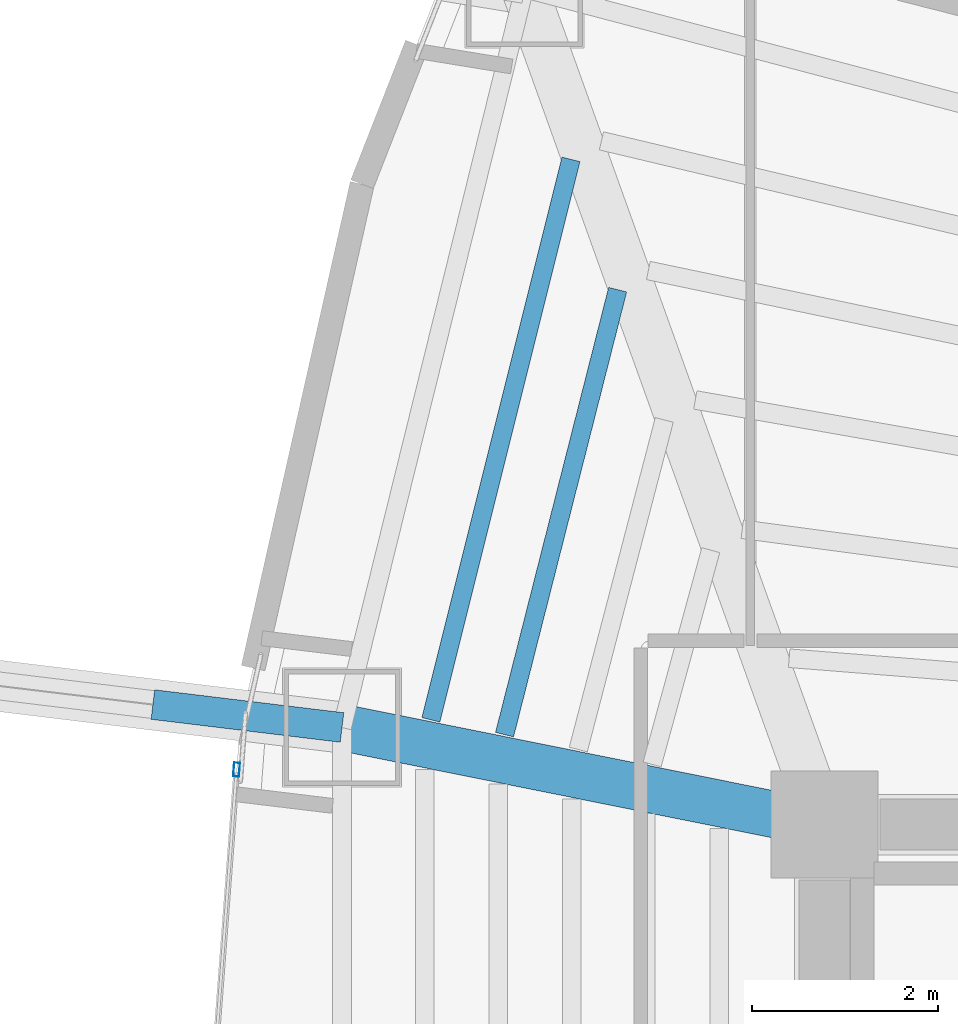
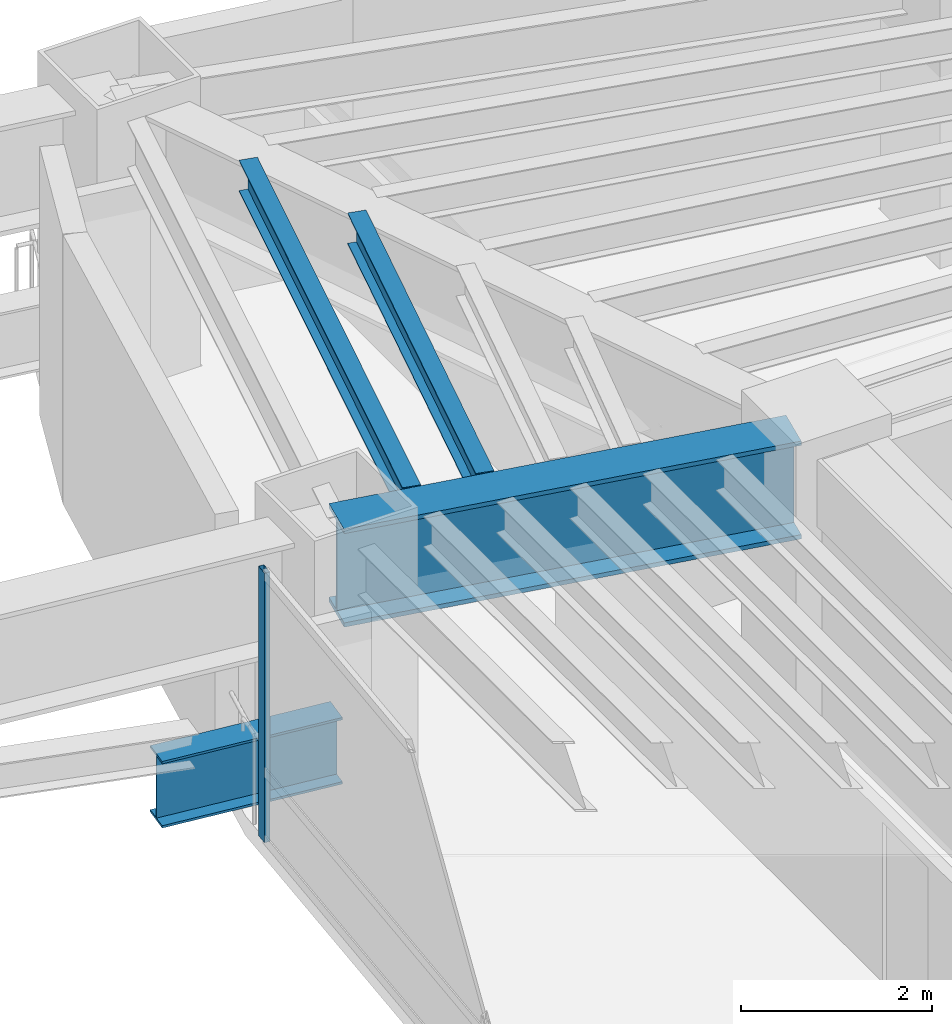
# One storey, part 6 of 17: 4 beams, 1 member, 1 element without a shape of its own.
"""IFC4 building model written with IfcOpenShell, lengths in metres."""

import ifcopenshell
import ifcopenshell.guid

model = None  # the IFC model being written
_history = None  # IfcOwnerHistory: only IFC2X3 demands one
_inside = {}  # id of a spatial element -> (the spatial element, [elements in it])
_under = {}  # id of a project, library or spatial element -> (it, [spatial elements below it])
_declared = {}  # id of a project -> (the project, [libraries it declares])
_typed = {}  # id of a type object -> (the type object, [elements of that type])
_made_of = {}  # id of a material, layer set ... -> (it, [elements and type objects made of it])


def new_model(schema):
    """Start an empty IFC model of exactly this schema.

    Asked for "IFC4X3", IfcOpenShell would pick the latest addendum, in which some entities
    have other attributes; the version numbers below select the first issue.
    IFC2X3 requires an IfcOwnerHistory on every rooted entity: one is made here for all.
    """
    global model, _history
    if schema == "IFC4X3":
        model = ifcopenshell.file(schema_version=(4, 3, 0, 0))
    else:
        model = ifcopenshell.file(schema=schema)
    _inside.clear()
    _under.clear()
    _declared.clear()
    _typed.clear()
    _made_of.clear()
    _history = None
    if model.schema == "IFC2X3":
        org = make("IfcOrganization", Name="unknown")
        user = make(
            "IfcPersonAndOrganization",
            ThePerson=make("IfcPerson", FamilyName="unknown"),
            TheOrganization=org,
        )
        app = make(
            "IfcApplication",
            ApplicationDeveloper=org,
            Version="unknown",
            ApplicationFullName="unknown",
            ApplicationIdentifier="unknown",
        )
        _history = make(
            "IfcOwnerHistory",
            OwningUser=user,
            OwningApplication=app,
            ChangeAction="ADDED",
            CreationDate=0,
        )
    return model


def make(cls, **values):
    """One entity of the class cls with the attributes given. An attribute that is None is left unset."""
    return model.create_entity(
        cls, **{name: value for name, value in values.items() if value is not None}
    )


def rooted(cls, **values):
    """An entity with a GlobalId (a new one), such as an element, a storey or a relation."""
    return make(cls, GlobalId=ifcopenshell.guid.new(), OwnerHistory=_history, **values)


def si_unit(unit_type, name, prefix=None):
    """IfcSIUnit, for example si_unit("LENGTHUNIT", "METRE", prefix="MILLI")."""
    return make("IfcSIUnit", UnitType=unit_type, Prefix=prefix, Name=name)


def assignment(units):
    """IfcUnitAssignment: the units of a project."""
    return None if units is None else make("IfcUnitAssignment", Units=units)


def point(xyz):
    """IfcCartesianPoint."""
    return None if xyz is None else make("IfcCartesianPoint", Coordinates=xyz)


def direction(xyz):
    """IfcDirection."""
    return None if xyz is None else make("IfcDirection", DirectionRatios=xyz)


def frame(location, z_axis=None, x_axis=None):
    """IfcAxis2Placement3D, a coordinate frame: its origin and axes. An axis left out is left unset."""
    return make(
        "IfcAxis2Placement3D",
        Location=point(location),
        Axis=direction(z_axis),
        RefDirection=direction(x_axis),
    )


def frame_2d(location, x_axis=None):
    """IfcAxis2Placement2D, a coordinate frame in the plane: its origin and x axis."""
    return make(
        "IfcAxis2Placement2D", Location=point(location), RefDirection=direction(x_axis)
    )


def origin():
    """The frame at (0, 0, 0) with its axes left unset."""
    return frame((0.0, 0.0, 0.0))


def origin_2d():
    """The frame at (0, 0) in the plane with its x axis left unset."""
    return frame_2d((0.0, 0.0))


def place(relative_to, where):
    """IfcLocalPlacement: puts the frame where relative to a parent placement (None: the world)."""
    return make(
        "IfcLocalPlacement", PlacementRelTo=relative_to, RelativePlacement=where
    )


def context(
    kind, dimensions, precision=None, world=None, true_north=None, identifier=None
):
    """IfcGeometricRepresentationContext, for example the 3D "Model" context."""
    return make(
        "IfcGeometricRepresentationContext",
        ContextIdentifier=identifier,
        ContextType=kind,
        CoordinateSpaceDimension=dimensions,
        Precision=precision,
        WorldCoordinateSystem=world,
        TrueNorth=true_north,
    )


def subcontext(parent, identifier, kind, view, scale=None):
    """IfcGeometricRepresentationSubContext, for example "Body" below "Model"."""
    return make(
        "IfcGeometricRepresentationSubContext",
        ContextIdentifier=identifier,
        ContextType=kind,
        ParentContext=parent,
        TargetScale=scale,
        TargetView=view,
    )


def project(units=None, contexts=None):
    """IfcProject with its units and contexts."""
    return rooted(
        "IfcProject",
        Name="project",
        RepresentationContexts=contexts,
        UnitsInContext=assignment(units),
    )


def spatial(cls, under=None, at=None, **own):
    """A site, building, storey or space (cls), placed at a placement, below another one or the project."""
    s = rooted(cls, ObjectPlacement=at, **own)
    if under is not None:
        _under.setdefault(under.id(), (under, []))[1].append(s)
    return s


def profile(cls, at=None, kind="AREA", **sizes):
    """A parametric profile (cls). Its sizes go by their IFC names, for example OverallWidth=200.0."""
    return make(cls, ProfileType=kind, Position=at, **sizes)


def hollow_rectangle(**sizes):
    """IfcRectangleHollowProfileDef."""
    return profile("IfcRectangleHollowProfileDef", **sizes)


def i_section(**sizes):
    """IfcIShapeProfileDef."""
    return profile("IfcIShapeProfileDef", **sizes)


def extrude(swept, where, along, depth):
    """IfcExtrudedAreaSolid: the profile swept, set in the frame where, extruded along a direction by depth."""
    return make(
        "IfcExtrudedAreaSolid",
        SweptArea=swept,
        Position=where,
        ExtrudedDirection=direction(along),
        Depth=depth,
    )


def shape(context_of_items, identifier, shape_type, items):
    """IfcShapeRepresentation: the items that make up one representation, for example the "Body"."""
    return make(
        "IfcShapeRepresentation",
        ContextOfItems=context_of_items,
        RepresentationIdentifier=identifier,
        RepresentationType=shape_type,
        Items=items,
    )


def material(Name=None, Category=None):
    """IfcMaterial."""
    return make("IfcMaterial", Name=Name, Category=Category)


def layer(
    of_material, thickness, ventilated=None, Name=None, Category=None, Priority=None
):
    """IfcMaterialLayer: one layer of a wall or slab, of a material (None: an air gap)."""
    return make(
        "IfcMaterialLayer",
        Material=of_material,
        LayerThickness=thickness,
        IsVentilated=ventilated,
        Name=Name,
        Category=Category,
        Priority=Priority,
    )


def layer_set(layers, Name=None):
    """IfcMaterialLayerSet."""
    return make("IfcMaterialLayerSet", MaterialLayers=layers, LayerSetName=Name)


def material_profile(
    of_material, cross_section, Name=None, Category=None, Priority=None
):
    """IfcMaterialProfile: a cross section and its material."""
    return make(
        "IfcMaterialProfile",
        Name=Name,
        Material=of_material,
        Profile=cross_section,
        Priority=Priority,
        Category=Category,
    )


def profile_set(profiles, Name=None, composite=None):
    """IfcMaterialProfileSet."""
    return make(
        "IfcMaterialProfileSet",
        Name=Name,
        MaterialProfiles=profiles,
        CompositeProfile=composite,
    )


def made_of(thing, what):
    """Note that an element or type object is made of a material, layer set ...; save() writes the relation."""
    if what is not None:
        _made_of.setdefault(what.id(), (what, []))[1].append(thing)
    return thing


def type_object(cls, material=None, **own):
    """A type object (cls), such as IfcWallType, which elements share."""
    return made_of(rooted(cls, **own), material)


def element(
    cls,
    number,
    at=None,
    inside=None,
    cuts=None,
    type_object=None,
    material=None,
    context=None,
    identifier="Body",
    shape_type=None,
    held_by="IfcProductDefinitionShape",
    body=None,
    shapes=None,
    **own,
):
    """One element of the class cls, such as IfcWall. Its Tag is "e" and its number.

    at: its placement. inside: the storey or other place that contains it. cuts: it is an
    opening in that element (IfcRelVoidsElement). A single representation is given by context,
    identifier, shape_type and body (its items); several are given by shapes. held_by: the class
    of the entity that holds the representations. save() writes the other relations.
    """
    e = rooted(cls, Tag="e%d" % number, ObjectPlacement=at, **own)
    if body is not None:
        shapes = [shape(context, identifier, shape_type, body)]
    if shapes is not None:
        e.Representation = make(held_by, Representations=shapes)
    if inside is not None:
        _inside.setdefault(inside.id(), (inside, []))[1].append(e)
    if cuts is not None:
        rooted(
            "IfcRelVoidsElement", RelatingBuildingElement=cuts, RelatedOpeningElement=e
        )
    if type_object is not None:
        _typed.setdefault(type_object.id(), (type_object, []))[1].append(e)
    return made_of(e, material)


def aggregate(whole, parts):
    """IfcRelAggregates: a whole, such as a stair, and the parts it consists of."""
    return rooted("IfcRelAggregates", RelatingObject=whole, RelatedObjects=parts)


def save(model, path):
    """Write the relations noted so far, then the file.

    IfcRelAggregates (storeys below a building ...), IfcRelContainedInSpatialStructure (elements
    in a storey), IfcRelDefinesByType, IfcRelAssociatesMaterial and IfcRelDeclares: one each for
    every whole, place, type object, material and project.
    """
    for whole, parts in _under.values():
        aggregate(whole, parts)
    for where, things in _inside.values():
        rooted(
            "IfcRelContainedInSpatialStructure",
            RelatedElements=things,
            RelatingStructure=where,
        )
    for kind, things in _typed.values():
        rooted("IfcRelDefinesByType", RelatedObjects=things, RelatingType=kind)
    for what, things in _made_of.values():
        rooted("IfcRelAssociatesMaterial", RelatedObjects=things, RelatingMaterial=what)
    for by, libraries in _declared.values():
        rooted("IfcRelDeclares", RelatingContext=by, RelatedDefinitions=libraries)
    model.write(path)


model = new_model("IFC4")

# Units and contexts
model_context = context("Model", 3, precision=1e-05, world=origin(), true_north=direction((0.0, 1.0)))
body_context = subcontext(model_context, "Body", "Model", "MODEL_VIEW")
ifc_project = project(units=[si_unit("LENGTHUNIT", "METRE"), si_unit("AREAUNIT", "SQUARE_METRE"), si_unit("VOLUMEUNIT", "CUBIC_METRE"), si_unit("PLANEANGLEUNIT", "RADIAN"), si_unit("MASSUNIT", "GRAM", prefix="KILO")], contexts=[model_context])

# Site, building, storey
site_placement = place(None, origin())
site = spatial("IfcSite", under=ifc_project, at=site_placement, CompositionType="ELEMENT")
building_placement = place(site_placement, origin())
building = spatial("IfcBuilding", under=site, at=building_placement, Name="Menara Vayukalpa", CompositionType="ELEMENT")
storey_placement = place(building_placement, frame((0.0, 0.0, 100.260009765625)))
storey = spatial("IfcBuildingStorey", under=building, at=storey_placement, Name="L24", CompositionType="ELEMENT", Elevation=100.260009765625)

# Beams
ifc_material_1 = material(Name="Steel S355", Category="steel")
ifc_material_profile_1 = material_profile(ifc_material_1, i_section(OverallWidth=0.320068359375, OverallDepth=0.85009765625, WebThickness=0.01611328125, FlangeThickness=0.030029296875, at=origin_2d()), Name="WF 850x320x16x30")
ifc_profile_set_1 = profile_set([ifc_material_profile_1], Name="Steel S355")
beam_type_1 = type_object("IfcBeamType", Name="BM-PG2E", PredefinedType="BEAM", material=ifc_profile_set_1)
beam_1_placement = place(storey_placement, frame((12.606689453125, 27.845703125, 0.550048828125), z_axis=(-0.992739816149, 0.120281575613, 0.0), x_axis=(-0.120281575613, -0.992739816149, 0.0)))
element("IfcBeam", 1, at=beam_1_placement, inside=storey, type_object=beam_type_1, Name="L24 SB2 Exterior Outrigger Corbel Bracket 05", PredefinedType="BEAM", context=body_context, shape_type="SweptSolid", body=[
    extrude(i_section(OverallWidth=0.320068359375, OverallDepth=0.85009765625, WebThickness=0.01611328125, FlangeThickness=0.030029296875, at=origin_2d()), origin(), (0.0, 0.0, 1.0), 2.050048828125),
])
ifc_material_2 = material(Name="Steel S355", Category="steel")
ifc_material_profile_2 = material_profile(ifc_material_2, i_section(OverallWidth=0.199951171875, OverallDepth=0.39990234375, WebThickness=0.008056640625, FlangeThickness=0.012939453125, at=origin_2d()), Name="WF 400x200x8x13")
ifc_profile_set_2 = profile_set([ifc_material_profile_2], Name="Steel S355")
beam_type_2 = type_object("IfcBeamType", Name="BM-SJ2", PredefinedType="JOIST", material=ifc_profile_set_2)
beam_2_placement = place(storey_placement, frame((15.572509765625, 32.556640625, 3.239990234375), z_axis=(-0.246347640812, -0.969181530915, 0.0), x_axis=(0.969181530915, -0.246347640812, 0.0)))
element("IfcBeam", 2, at=beam_2_placement, inside=storey, type_object=beam_type_2, Name="L24 Secondary Floor Joist SJ04-4", PredefinedType="JOIST", context=body_context, shape_type="SweptSolid", body=[
    extrude(i_section(OverallWidth=0.199951171875, OverallDepth=0.39990234375, WebThickness=0.008056640625, FlangeThickness=0.012939453125, at=origin_2d()), origin(), (0.0, 0.0, 1.0), 4.9404296875),
])
beam_3_placement = place(storey_placement, frame((15.070068359375, 33.958251953125, 3.239990234375), z_axis=(-0.242507898658, -0.970149431319, 0.0), x_axis=(0.970149431319, -0.242507898658, 0.0)))
element("IfcBeam", 3, at=beam_3_placement, inside=storey, type_object=beam_type_2, Name="L24 Secondary Floor Joist SJ04-5", PredefinedType="JOIST", context=body_context, shape_type="SweptSolid", body=[
    extrude(i_section(OverallWidth=0.199951171875, OverallDepth=0.39990234375, WebThickness=0.008056640625, FlangeThickness=0.012939453125, at=origin_2d()), origin(), (0.0, 0.0, 1.0), 6.215576171875),
])
ifc_material_3 = material(Name="Steel S460", Category="steel")
ifc_material_profile_3 = material_profile(ifc_material_3, i_section(OverallWidth=0.5, OverallDepth=1.25, WebThickness=0.028076171875, FlangeThickness=0.054931640625, at=origin_2d()), Name="WG 1250x500x28x55")
ifc_profile_set_3 = profile_set([ifc_material_profile_3], Name="Steel S460")
beam_type_3 = type_object("IfcBeamType", Name="BM-TG2", PredefinedType="BEAM", material=ifc_profile_set_3)
beam_4_placement = place(storey_placement, frame((17.554931640625, 26.849365234375, 2.81494140625), z_axis=(-0.980324984906, 0.197390283373, 0.0), x_axis=(-0.197390283373, -0.980324984906, 0.0)))
element("IfcBeam", 4, at=beam_4_placement, inside=storey, type_object=beam_type_3, Name="L24 Primary Radial Girder RG05", PredefinedType="BEAM", context=body_context, shape_type="SweptSolid", body=[
    extrude(i_section(OverallWidth=0.5, OverallDepth=1.25, WebThickness=0.028076171875, FlangeThickness=0.054931640625, at=origin_2d()), origin(), (0.0, 0.0, 1.0), 5.047607421875),
])

# Curtain wall, member
ifc_material_4 = material(Name="Anodised Terracotta Aluminium Alloy 6063-T6", Category="masonry")
ifc_layer = layer(ifc_material_4, 0.14990234375)
ifc_layer_set = layer_set([ifc_layer], Name="Anodised Terracotta Aluminium Alloy 6063-T6")
curtain_wall_type = type_object("IfcCurtainWallType", Name="CW-CW3", PredefinedType="USERDEFINED", material=ifc_layer_set)
curtain_wall_placement = place(storey_placement, origin())
curtain_wall = element("IfcCurtainWall", 5, at=curtain_wall_placement, inside=storey, type_object=curtain_wall_type, Name="L24 Mid Rise Terracotta Ribbon Curtain Wall CW3 10", ObjectType="UNITISED", PredefinedType="USERDEFINED")
ifc_material_5 = material(Name="Anodised Terracotta Aluminium Alloy 6063-T6", Category="masonry")
ifc_material_profile_4 = material_profile(ifc_material_5, hollow_rectangle(XDim=0.06494140625, YDim=0.14990234375, WallThickness=0.00341796875, at=origin_2d()), Name="ALU 65x150x3.5")
ifc_profile_set_4 = profile_set([ifc_material_profile_4], Name="Anodised Terracotta Aluminium Alloy 6063-T6")
member_type = type_object("IfcMemberType", Name="CWM-CW3", PredefinedType="MULLION", material=ifc_profile_set_4)
member_placement = place(storey_placement, frame((11.47265625, 27.39208984375, 0.0), z_axis=(0.0, 0.0, 1.0), x_axis=(0.997199926807, -0.074781722204, 0.0)))
member = element("IfcMember", 6, at=member_placement, type_object=member_type, Name="CW3 mullion 1", PredefinedType="MULLION", context=body_context, shape_type="SweptSolid", body=[
    extrude(hollow_rectangle(XDim=0.06494140625, YDim=0.14990234375, WallThickness=0.00341796875, at=origin_2d()), origin(), (0.0, 0.0, 1.0), 3.43994140625),
])
aggregate(curtain_wall, [member])

save(model, "model.ifc")
